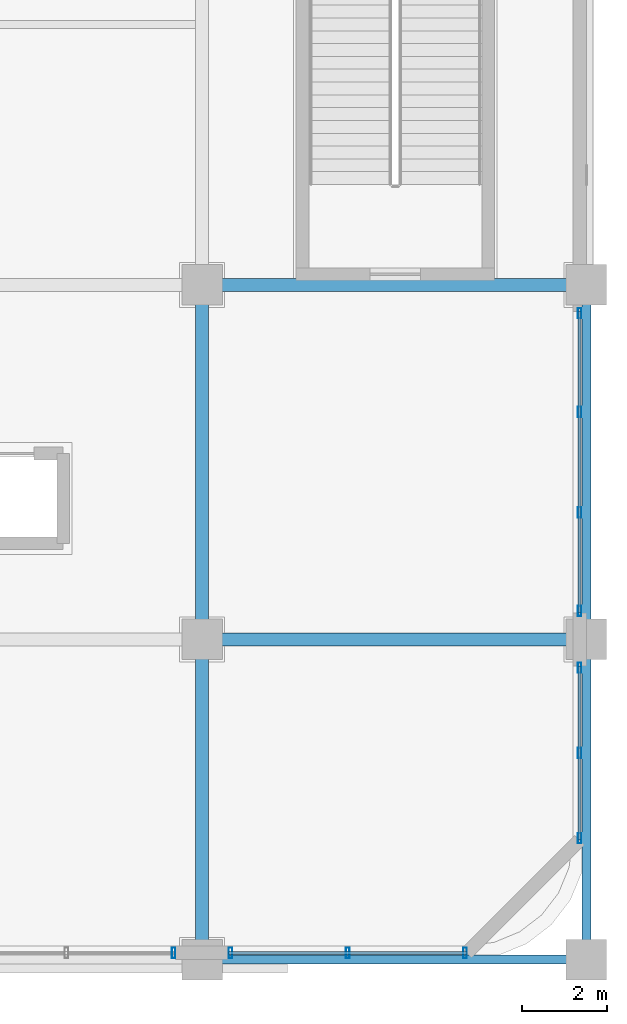
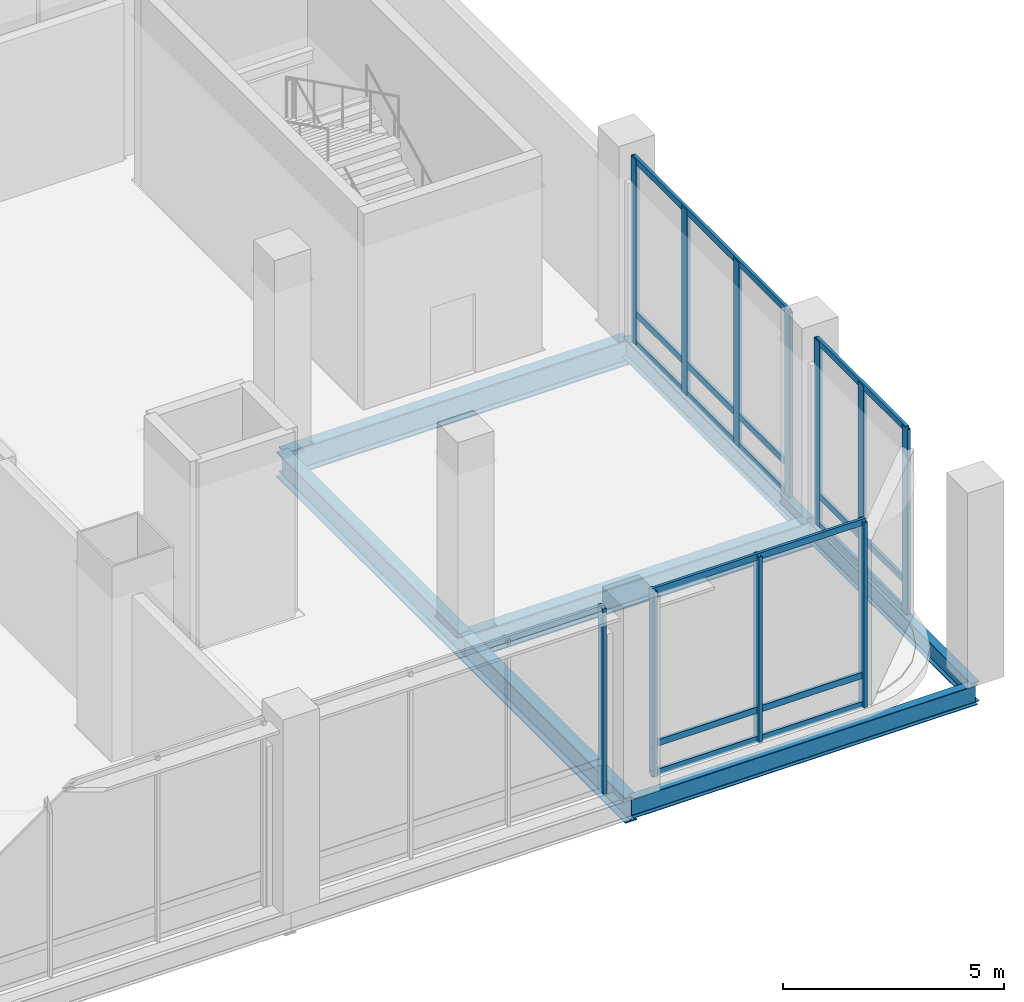
# One storey, part 19 of 39: 20 members, 7 beams, 4 elements without a shape of their own.
"""IFC4 building model written with IfcOpenShell, lengths in metres."""

from ifc_helpers import new_model, si_unit, direction, frame, origin, origin_2d, place, context, subcontext, project, spatial, hollow_rectangle, i_section, extrude, material, material_profile, profile_set, type_object, element, aggregate, save


model = new_model("IFC4")

# Units and contexts
model_context = context("Model", 3, precision=1e-05, world=origin(), true_north=direction((0.0, 1.0)))
body_context = subcontext(model_context, "Body", "Model", "MODEL_VIEW")
ifc_project = project(units=[si_unit("LENGTHUNIT", "METRE"), si_unit("AREAUNIT", "SQUARE_METRE"), si_unit("VOLUMEUNIT", "CUBIC_METRE"), si_unit("PLANEANGLEUNIT", "RADIAN"), si_unit("MASSUNIT", "GRAM", prefix="KILO")], contexts=[model_context])

# Site, building, storey
site_placement = place(None, origin())
site = spatial("IfcSite", under=ifc_project, at=site_placement, CompositionType="ELEMENT")
building_placement = place(site_placement, origin())
building = spatial("IfcBuilding", under=site, at=building_placement, Name="Punatoya Terracotta Tower", CompositionType="ELEMENT")
storey_placement = place(building_placement, frame((0.0, 0.0, 11.39990234375)))
storey = spatial("IfcBuildingStorey", under=building, at=storey_placement, Name="L02", CompositionType="ELEMENT", Elevation=11.39990234375)

# Beams
ifc_material_1 = material(Name="Steel S355", Category="steel")
ifc_material_profile_1 = material_profile(ifc_material_1, i_section(OverallWidth=0.300048828125, OverallDepth=0.699951171875, WebThickness=0.01708984375, FlangeThickness=0.031982421875, FilletRadius=0.01806640625, at=origin_2d()))
ifc_profile_set_1 = profile_set([ifc_material_profile_1], Name="Steel S355")
beam_type_1 = type_object("IfcBeamType", Name="BM-PRI-700", PredefinedType="BEAM", material=ifc_profile_set_1)
for number, where, z_axis, x_axis, name in (
    (1, (28.0, -17.5, -0.6298828125), (1.0, 0.0, 0.0), (0.0, 1.0, 0.0), "BM-L02-BE2"),
    (2, (28.0, -9.199951171875, -0.6298828125), (1.0, 0.0, 0.0), (0.0, 1.0, 0.0), "BM-L02-CE2"),
):
    element("IfcBeam", number, at=place(storey_placement, frame(where, z_axis=z_axis, x_axis=x_axis)), inside=storey, type_object=beam_type_1, Name=name, PredefinedType="BEAM", context=body_context, shape_type="SweptSolid", body=[
        extrude(i_section(OverallWidth=0.300048828125, OverallDepth=0.699951171875, WebThickness=0.01708984375, FlangeThickness=0.031982421875, FilletRadius=0.01806640625, at=origin_2d()), origin(), (0.0, 0.0, 1.0), 9.0),
    ])
beam_1_placement = place(storey_placement, frame((28.0, -25.0, -0.6298828125), z_axis=(0.0, 1.0, 0.0), x_axis=(-1.0, 0.0, 0.0)))
element("IfcBeam", 3, at=beam_1_placement, inside=storey, type_object=beam_type_1, Name="BM-L02-X28E--25", PredefinedType="BEAM", context=body_context, shape_type="SweptSolid", body=[
    extrude(i_section(OverallWidth=0.300048828125, OverallDepth=0.699951171875, WebThickness=0.01708984375, FlangeThickness=0.031982421875, FilletRadius=0.01806640625, at=origin_2d()), origin(), (0.0, 0.0, 1.0), 7.5),
])
beam_2_placement = place(storey_placement, frame((28.0, -17.5, -0.6298828125), z_axis=(0.0, 1.0, 0.0), x_axis=(-1.0, 0.0, 0.0)))
element("IfcBeam", 4, at=beam_2_placement, inside=storey, type_object=beam_type_1, Name="BM-L02-X28E--17", PredefinedType="BEAM", context=body_context, shape_type="SweptSolid", body=[
    extrude(i_section(OverallWidth=0.300048828125, OverallDepth=0.699951171875, WebThickness=0.01708984375, FlangeThickness=0.031982421875, FilletRadius=0.01806640625, at=origin_2d()), origin(), (0.0, 0.0, 1.0), 8.300048828125),
])
ifc_material_profile_2 = material_profile(ifc_material_1, i_section(OverallWidth=0.2099609375, OverallDepth=0.550048828125, WebThickness=0.010986328125, FlangeThickness=0.01708984375, FilletRadius=0.01806640625, at=origin_2d()))
ifc_profile_set_2 = profile_set([ifc_material_profile_2], Name="Steel S355")
beam_type_2 = type_object("IfcBeamType", Name="BM-SPN-550", PredefinedType="SPANDREL", material=ifc_profile_set_2)
beam_3_placement = place(storey_placement, frame((28.0, -25.0, -0.554931640625), z_axis=(1.0, 0.0, 0.0), x_axis=(0.0, 1.0, 0.0)))
element("IfcBeam", 5, at=beam_3_placement, inside=storey, type_object=beam_type_2, Name="BM-L02-AE2", PredefinedType="SPANDREL", context=body_context, shape_type="SweptSolid", body=[
    extrude(i_section(OverallWidth=0.2099609375, OverallDepth=0.550048828125, WebThickness=0.010986328125, FlangeThickness=0.01708984375, FilletRadius=0.01806640625, at=origin_2d()), origin(), (0.0, 0.0, 1.0), 9.0),
])
beam_4_placement = place(storey_placement, frame((37.0, -25.0, -0.554931640625), z_axis=(0.0, 1.0, 0.0), x_axis=(-1.0, 0.0, 0.0)))
element("IfcBeam", 6, at=beam_4_placement, inside=storey, type_object=beam_type_2, Name="BM-L02-X37E--25", PredefinedType="SPANDREL", context=body_context, shape_type="SweptSolid", body=[
    extrude(i_section(OverallWidth=0.2099609375, OverallDepth=0.550048828125, WebThickness=0.010986328125, FlangeThickness=0.01708984375, FilletRadius=0.01806640625, at=origin_2d()), origin(), (0.0, 0.0, 1.0), 7.5),
])
beam_5_placement = place(storey_placement, frame((37.0, -17.5, -0.554931640625), z_axis=(0.0, 1.0, 0.0), x_axis=(-1.0, 0.0, 0.0)))
element("IfcBeam", 7, at=beam_5_placement, inside=storey, type_object=beam_type_2, Name="BM-L02-X37E--17", PredefinedType="SPANDREL", context=body_context, shape_type="SweptSolid", body=[
    extrude(i_section(OverallWidth=0.2099609375, OverallDepth=0.550048828125, WebThickness=0.010986328125, FlangeThickness=0.01708984375, FilletRadius=0.01806640625, at=origin_2d()), origin(), (0.0, 0.0, 1.0), 8.300048828125),
])

# Curtain wall, member
ifc_material_2 = material(Name="Aluminium 6063-T6 + Double Low-E Glass", Category="aluminium")
curtain_wall_type = type_object("IfcCurtainWallType", Name="CW-POD", PredefinedType="NOTDEFINED", material=ifc_material_2)
curtain_wall_1_placement = place(storey_placement, origin())
curtain_wall_1 = element("IfcCurtainWall", 8, at=curtain_wall_1_placement, inside=storey, type_object=curtain_wall_type, Name="L02 Curtain Wall CWP-L02-S6", PredefinedType="NOTDEFINED")
ifc_material_3 = material(Name="Aluminium 6063-T6", Category="aluminium")
ifc_material_profile_3 = material_profile(ifc_material_3, hollow_rectangle(XDim=0.0849609375, YDim=0.239990234375, WallThickness=0.0048828125, at=origin_2d()))
ifc_profile_set_3 = profile_set([ifc_material_profile_3], Name="Aluminium 6063-T6")
member_type_1 = type_object("IfcMemberType", Name="CW-MUL-POD", PredefinedType="MULLION", material=ifc_profile_set_3)
member_1_placement = place(storey_placement, frame((27.3349609375, -24.840087890625, 0.0), z_axis=(0.0, 0.0, 1.0), x_axis=(1.0, 0.0, 0.0)))
member_1 = element("IfcMember", 9, at=member_1_placement, type_object=member_type_1, Name="CWP-L02-S6 Mullion 03", PredefinedType="MULLION", context=body_context, shape_type="SweptSolid", body=[
    extrude(hollow_rectangle(XDim=0.0849609375, YDim=0.239990234375, WallThickness=0.0048828125, at=origin_2d()), origin(), (0.0, 0.0, 1.0), 5.1201171875),
])
aggregate(curtain_wall_1, [member_1])

# Curtain wall, members
curtain_wall_2_placement = place(storey_placement, origin())
curtain_wall_2 = element("IfcCurtainWall", 10, at=curtain_wall_2_placement, inside=storey, type_object=curtain_wall_type, Name="L02 Curtain Wall CWP-L02-S7", PredefinedType="NOTDEFINED")
member_2_placement = place(storey_placement, frame((28.6650390625, -24.840087890625, 0.0), z_axis=(0.0, 0.0, 1.0), x_axis=(1.0, 0.0, 0.0)))
member_2 = element("IfcMember", 11, at=member_2_placement, type_object=member_type_1, Name="CWP-L02-S7 Mullion 00", PredefinedType="MULLION", context=body_context, shape_type="SweptSolid", body=[
    extrude(hollow_rectangle(XDim=0.0849609375, YDim=0.239990234375, WallThickness=0.0048828125, at=origin_2d()), origin(), (0.0, 0.0, 1.0), 5.1201171875),
])
member_3_placement = place(storey_placement, frame((31.409912109375, -24.840087890625, 0.0), z_axis=(0.0, 0.0, 1.0), x_axis=(1.0, 0.0, 0.0)))
member_3 = element("IfcMember", 12, at=member_3_placement, type_object=member_type_1, Name="CWP-L02-S7 Mullion 01", PredefinedType="MULLION", context=body_context, shape_type="SweptSolid", body=[
    extrude(hollow_rectangle(XDim=0.0849609375, YDim=0.239990234375, WallThickness=0.0048828125, at=origin_2d()), origin(), (0.0, 0.0, 1.0), 5.1201171875),
])
member_4_placement = place(storey_placement, frame((34.155029296875, -24.840087890625, 0.0), z_axis=(0.0, 0.0, 1.0), x_axis=(1.0, 0.0, 0.0)))
member_4 = element("IfcMember", 13, at=member_4_placement, type_object=member_type_1, Name="CWP-L02-S7 Mullion 02", PredefinedType="MULLION", context=body_context, shape_type="SweptSolid", body=[
    extrude(hollow_rectangle(XDim=0.0849609375, YDim=0.239990234375, WallThickness=0.0048828125, at=origin_2d()), origin(), (0.0, 0.0, 1.0), 5.1201171875),
])

curtain_wall_3_placement = place(storey_placement, origin())
curtain_wall_3 = element("IfcCurtainWall", 14, at=curtain_wall_3_placement, inside=storey, type_object=curtain_wall_type, Name="L02 Curtain Wall CWP-L02-E1", PredefinedType="NOTDEFINED")
member_5_placement = place(storey_placement, frame((36.840087890625, -18.1650390625, 0.0), z_axis=(0.0, 0.0, 1.0), x_axis=(1.0, 0.0, 0.0)))
member_5 = element("IfcMember", 15, at=member_5_placement, type_object=member_type_1, Name="CWP-L02-E1 Mullion 00", PredefinedType="MULLION", context=body_context, shape_type="SweptSolid", body=[
    extrude(hollow_rectangle(XDim=0.0849609375, YDim=0.239990234375, WallThickness=0.0048828125, at=origin_2d()), origin(), (0.0, 0.0, 1.0), 5.1201171875),
])
member_6_placement = place(storey_placement, frame((36.840087890625, -20.159912109375, 0.0), z_axis=(0.0, 0.0, 1.0), x_axis=(1.0, 0.0, 0.0)))
member_6 = element("IfcMember", 16, at=member_6_placement, type_object=member_type_1, Name="CWP-L02-E1 Mullion 01", PredefinedType="MULLION", context=body_context, shape_type="SweptSolid", body=[
    extrude(hollow_rectangle(XDim=0.0849609375, YDim=0.239990234375, WallThickness=0.0048828125, at=origin_2d()), origin(), (0.0, 0.0, 1.0), 5.1201171875),
])
member_7_placement = place(storey_placement, frame((36.840087890625, -22.155029296875, 0.0), z_axis=(0.0, 0.0, 1.0), x_axis=(1.0, 0.0, 0.0)))
member_7 = element("IfcMember", 17, at=member_7_placement, type_object=member_type_1, Name="CWP-L02-E1 Mullion 02", PredefinedType="MULLION", context=body_context, shape_type="SweptSolid", body=[
    extrude(hollow_rectangle(XDim=0.0849609375, YDim=0.239990234375, WallThickness=0.0048828125, at=origin_2d()), origin(), (0.0, 0.0, 1.0), 5.1201171875),
])

curtain_wall_4_placement = place(storey_placement, origin())
curtain_wall_4 = element("IfcCurtainWall", 18, at=curtain_wall_4_placement, inside=storey, type_object=curtain_wall_type, Name="L02 Curtain Wall CWP-L02-E2", PredefinedType="NOTDEFINED")
member_8_placement = place(storey_placement, frame((36.840087890625, -9.864990234375, 0.0), z_axis=(0.0, 0.0, 1.0), x_axis=(1.0, 0.0, 0.0)))
member_8 = element("IfcMember", 19, at=member_8_placement, type_object=member_type_1, Name="CWP-L02-E2 Mullion 00", PredefinedType="MULLION", context=body_context, shape_type="SweptSolid", body=[
    extrude(hollow_rectangle(XDim=0.0849609375, YDim=0.239990234375, WallThickness=0.0048828125, at=origin_2d()), origin(), (0.0, 0.0, 1.0), 5.1201171875),
])
member_9_placement = place(storey_placement, frame((36.840087890625, -12.17333984375, 0.0), z_axis=(0.0, 0.0, 1.0), x_axis=(1.0, 0.0, 0.0)))
member_9 = element("IfcMember", 20, at=member_9_placement, type_object=member_type_1, Name="CWP-L02-E2 Mullion 01", PredefinedType="MULLION", context=body_context, shape_type="SweptSolid", body=[
    extrude(hollow_rectangle(XDim=0.0849609375, YDim=0.239990234375, WallThickness=0.0048828125, at=origin_2d()), origin(), (0.0, 0.0, 1.0), 5.1201171875),
])
member_10_placement = place(storey_placement, frame((36.840087890625, -14.526611328125, 0.0), z_axis=(0.0, 0.0, 1.0), x_axis=(1.0, 0.0, 0.0)))
member_10 = element("IfcMember", 21, at=member_10_placement, type_object=member_type_1, Name="CWP-L02-E2 Mullion 02", PredefinedType="MULLION", context=body_context, shape_type="SweptSolid", body=[
    extrude(hollow_rectangle(XDim=0.0849609375, YDim=0.239990234375, WallThickness=0.0048828125, at=origin_2d()), origin(), (0.0, 0.0, 1.0), 5.1201171875),
])
member_11_placement = place(storey_placement, frame((36.840087890625, -16.8349609375, 0.0), z_axis=(0.0, 0.0, 1.0), x_axis=(1.0, 0.0, 0.0)))
member_11 = element("IfcMember", 22, at=member_11_placement, type_object=member_type_1, Name="CWP-L02-E2 Mullion 03", PredefinedType="MULLION", context=body_context, shape_type="SweptSolid", body=[
    extrude(hollow_rectangle(XDim=0.0849609375, YDim=0.239990234375, WallThickness=0.0048828125, at=origin_2d()), origin(), (0.0, 0.0, 1.0), 5.1201171875),
])

# Member
ifc_material_profile_4 = material_profile(ifc_material_3, hollow_rectangle(XDim=0.074951171875, YDim=0.175048828125, WallThickness=0.00439453125, at=origin_2d()))
ifc_profile_set_4 = profile_set([ifc_material_profile_4], Name="Aluminium 6063-T6")
member_type_2 = type_object("IfcMemberType", Name="CW-TRN-POD", PredefinedType="USERDEFINED", material=ifc_profile_set_4)
member_12_placement = place(storey_placement, frame((28.6201171875, -24.840087890625, 0.0400390625), z_axis=(1.0, 0.0, 0.0), x_axis=(0.0, 1.0, 0.0)))
member_12 = element("IfcMember", 23, at=member_12_placement, type_object=member_type_2, Name="CWP-L02-S7 Transom 1", ObjectType="TRANSOM", PredefinedType="USERDEFINED", context=body_context, shape_type="SweptSolid", body=[
    extrude(hollow_rectangle(XDim=0.074951171875, YDim=0.175048828125, WallThickness=0.00439453125, at=origin_2d()), origin(), (0.0, 0.0, 1.0), 5.579833984375),
])

member_13_placement = place(storey_placement, frame((28.6201171875, -24.840087890625, 0.85009765625), z_axis=(1.0, 0.0, 0.0), x_axis=(0.0, 1.0, 0.0)))
member_13 = element("IfcMember", 24, at=member_13_placement, type_object=member_type_2, Name="CWP-L02-S7 Transom 2", ObjectType="TRANSOM", PredefinedType="USERDEFINED", context=body_context, shape_type="SweptSolid", body=[
    extrude(hollow_rectangle(XDim=0.074951171875, YDim=0.175048828125, WallThickness=0.00439453125, at=origin_2d()), origin(), (0.0, 0.0, 1.0), 5.579833984375),
])

member_14_placement = place(storey_placement, frame((28.6201171875, -24.840087890625, 5.080078125), z_axis=(1.0, 0.0, 0.0), x_axis=(0.0, 1.0, 0.0)))
member_14 = element("IfcMember", 25, at=member_14_placement, type_object=member_type_2, Name="CWP-L02-S7 Transom 3", ObjectType="TRANSOM", PredefinedType="USERDEFINED", context=body_context, shape_type="SweptSolid", body=[
    extrude(hollow_rectangle(XDim=0.074951171875, YDim=0.175048828125, WallThickness=0.00439453125, at=origin_2d()), origin(), (0.0, 0.0, 1.0), 5.579833984375),
])

aggregate(curtain_wall_2, [member_2, member_3, member_4, member_12, member_13, member_14])

member_15_placement = place(storey_placement, frame((36.840087890625, -18.1201171875, 0.0400390625), z_axis=(0.0, -1.0, 0.0), x_axis=(1.0, 0.0, 0.0)))
member_15 = element("IfcMember", 26, at=member_15_placement, type_object=member_type_2, Name="CWP-L02-E1 Transom 1", ObjectType="TRANSOM", PredefinedType="USERDEFINED", context=body_context, shape_type="SweptSolid", body=[
    extrude(hollow_rectangle(XDim=0.074951171875, YDim=0.175048828125, WallThickness=0.00439453125, at=origin_2d()), origin(), (0.0, 0.0, 1.0), 4.079833984375),
])

member_16_placement = place(storey_placement, frame((36.840087890625, -18.1201171875, 0.85009765625), z_axis=(0.0, -1.0, 0.0), x_axis=(1.0, 0.0, 0.0)))
member_16 = element("IfcMember", 27, at=member_16_placement, type_object=member_type_2, Name="CWP-L02-E1 Transom 2", ObjectType="TRANSOM", PredefinedType="USERDEFINED", context=body_context, shape_type="SweptSolid", body=[
    extrude(hollow_rectangle(XDim=0.074951171875, YDim=0.175048828125, WallThickness=0.00439453125, at=origin_2d()), origin(), (0.0, 0.0, 1.0), 4.079833984375),
])

member_17_placement = place(storey_placement, frame((36.840087890625, -18.1201171875, 5.080078125), z_axis=(0.0, -1.0, 0.0), x_axis=(1.0, 0.0, 0.0)))
member_17 = element("IfcMember", 28, at=member_17_placement, type_object=member_type_2, Name="CWP-L02-E1 Transom 3", ObjectType="TRANSOM", PredefinedType="USERDEFINED", context=body_context, shape_type="SweptSolid", body=[
    extrude(hollow_rectangle(XDim=0.074951171875, YDim=0.175048828125, WallThickness=0.00439453125, at=origin_2d()), origin(), (0.0, 0.0, 1.0), 4.079833984375),
])

aggregate(curtain_wall_3, [member_5, member_6, member_7, member_15, member_16, member_17])

member_18_placement = place(storey_placement, frame((36.840087890625, -9.820068359375, 0.0400390625), z_axis=(0.0, -1.0, 0.0), x_axis=(1.0, 0.0, 0.0)))
member_18 = element("IfcMember", 29, at=member_18_placement, type_object=member_type_2, Name="CWP-L02-E2 Transom 1", ObjectType="TRANSOM", PredefinedType="USERDEFINED", context=body_context, shape_type="SweptSolid", body=[
    extrude(hollow_rectangle(XDim=0.074951171875, YDim=0.175048828125, WallThickness=0.00439453125, at=origin_2d()), origin(), (0.0, 0.0, 1.0), 7.059814453125),
])

member_19_placement = place(storey_placement, frame((36.840087890625, -9.820068359375, 0.85009765625), z_axis=(0.0, -1.0, 0.0), x_axis=(1.0, 0.0, 0.0)))
member_19 = element("IfcMember", 30, at=member_19_placement, type_object=member_type_2, Name="CWP-L02-E2 Transom 2", ObjectType="TRANSOM", PredefinedType="USERDEFINED", context=body_context, shape_type="SweptSolid", body=[
    extrude(hollow_rectangle(XDim=0.074951171875, YDim=0.175048828125, WallThickness=0.00439453125, at=origin_2d()), origin(), (0.0, 0.0, 1.0), 7.059814453125),
])

member_20_placement = place(storey_placement, frame((36.840087890625, -9.820068359375, 5.080078125), z_axis=(0.0, -1.0, 0.0), x_axis=(1.0, 0.0, 0.0)))
member_20 = element("IfcMember", 31, at=member_20_placement, type_object=member_type_2, Name="CWP-L02-E2 Transom 3", ObjectType="TRANSOM", PredefinedType="USERDEFINED", context=body_context, shape_type="SweptSolid", body=[
    extrude(hollow_rectangle(XDim=0.074951171875, YDim=0.175048828125, WallThickness=0.00439453125, at=origin_2d()), origin(), (0.0, 0.0, 1.0), 7.059814453125),
])

aggregate(curtain_wall_4, [member_8, member_9, member_10, member_11, member_18, member_19, member_20])

save(model, "model.ifc")
